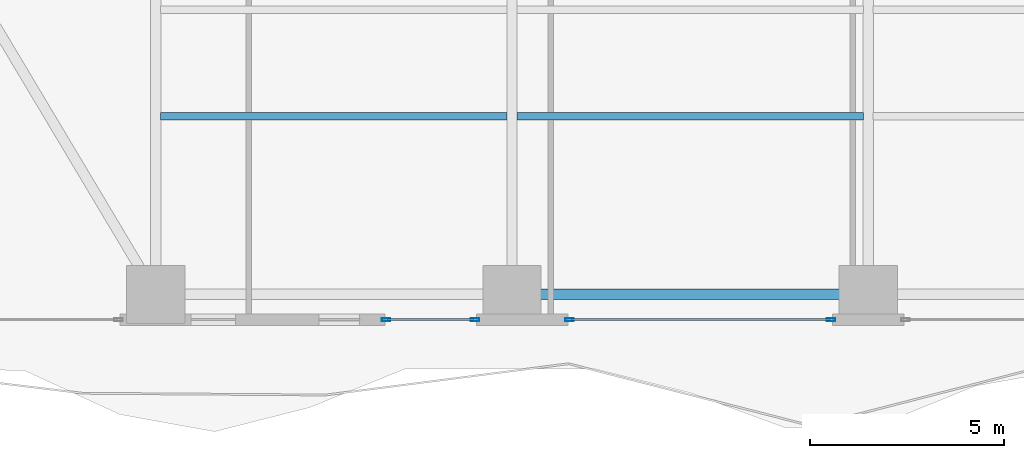
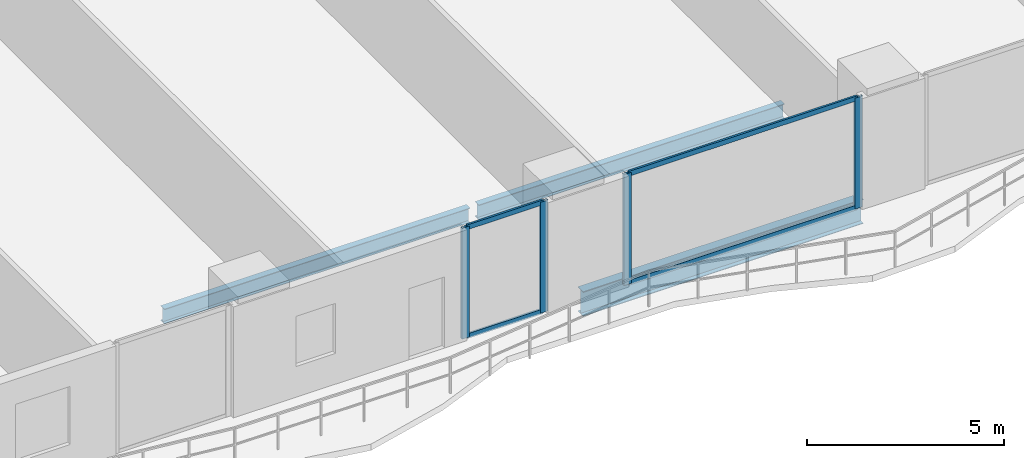
# One storey, part 4 of 28: 8 members, 3 beams, 2 elements without a shape of their own.
"""IFC4 building model written with IfcOpenShell, lengths in metres."""

from ifc_helpers import new_model, si_unit, direction, frame, origin, origin_2d, place, context, subcontext, project, spatial, hollow_rectangle, i_section, extrude, material, layer, layer_set, material_profile, profile_set, type_object, element, aggregate, save


model = new_model("IFC4")

# Units and contexts
model_context = context("Model", 3, precision=1e-05, world=origin(), true_north=direction((0.0, 1.0)))
body_context = subcontext(model_context, "Body", "Model", "MODEL_VIEW")
ifc_project = project(units=[si_unit("LENGTHUNIT", "METRE"), si_unit("AREAUNIT", "SQUARE_METRE"), si_unit("VOLUMEUNIT", "CUBIC_METRE"), si_unit("PLANEANGLEUNIT", "RADIAN"), si_unit("MASSUNIT", "GRAM", prefix="KILO")], contexts=[model_context])

# Site, building, storey
site_placement = place(None, origin())
site = spatial("IfcSite", under=ifc_project, at=site_placement, CompositionType="ELEMENT")
building_placement = place(site_placement, origin())
building = spatial("IfcBuilding", under=site, at=building_placement, Name="Zuhayl Quay Hotel", CompositionType="ELEMENT")
storey_placement = place(building_placement, frame((0.0, 0.0, 53.14990234375)))
storey = spatial("IfcBuildingStorey", under=building, at=storey_placement, Name="L12", CompositionType="ELEMENT", Elevation=53.14990234375)

# Beams
ifc_material_1 = material(Name="Steel ASTM A992 Grade 50", Category="steel")
ifc_material_profile_1 = material_profile(ifc_material_1, i_section(OverallWidth=0.26708984375, OverallDepth=0.761962890625, WebThickness=0.014404296875, FlangeThickness=0.021484375, at=origin_2d()), Name="W30X116")
ifc_profile_set_1 = profile_set([ifc_material_profile_1], Name="Steel ASTM A992 Grade 50")
beam_type_1 = type_object("IfcBeamType", Name="BM_B1_W30X116", PredefinedType="BEAM", material=ifc_profile_set_1)
beam_1_placement = place(storey_placement, frame((-4.10009765625, -22.449951171875, -0.600830078125), z_axis=(1.0, 0.0, 0.0), x_axis=(0.0, 1.0, 0.0)))
element("IfcBeam", 1, at=beam_1_placement, inside=storey, type_object=beam_type_1, Name="L12 Floor Beam RG_L12_02", PredefinedType="BEAM", context=body_context, shape_type="SweptSolid", body=[
    extrude(i_section(OverallWidth=0.26708984375, OverallDepth=0.761962890625, WebThickness=0.014404296875, FlangeThickness=0.021484375, at=origin_2d()), origin(), (0.0, 0.0, 1.0), 8.2001953125),
])
ifc_material_profile_2 = material_profile(ifc_material_1, i_section(OverallWidth=0.18994140625, OverallDepth=0.45703125, WebThickness=0.009033203125, FlangeThickness=0.014404296875, at=origin_2d()), Name="W18X50")
ifc_profile_set_2 = profile_set([ifc_material_profile_2], Name="Steel ASTM A992 Grade 50")
beam_type_2 = type_object("IfcBeamType", Name="BM_J2_W18X50", PredefinedType="JOIST", material=ifc_profile_set_2)
beam_2_placement = place(storey_placement, frame((-13.674560546875, -17.85009765625, -0.448486328125), z_axis=(1.0, 0.0, 0.0), x_axis=(0.0, 1.0, 0.0)))
element("IfcBeam", 2, at=beam_2_placement, inside=storey, type_object=beam_type_2, Name="L12 Floor Beam FJ_L12_3_1", PredefinedType="JOIST", context=body_context, shape_type="SweptSolid", body=[
    extrude(i_section(OverallWidth=0.18994140625, OverallDepth=0.45703125, WebThickness=0.009033203125, FlangeThickness=0.014404296875, at=origin_2d()), origin(), (0.0, 0.0, 1.0), 8.948974609375),
])
beam_3_placement = place(storey_placement, frame((-4.474609375, -17.85009765625, -0.448486328125), z_axis=(1.0, 0.0, 0.0), x_axis=(0.0, 1.0, 0.0)))
element("IfcBeam", 3, at=beam_3_placement, inside=storey, type_object=beam_type_2, Name="L12 Floor Beam FJ_L12_3_2", PredefinedType="JOIST", context=body_context, shape_type="SweptSolid", body=[
    extrude(i_section(OverallWidth=0.18994140625, OverallDepth=0.45703125, WebThickness=0.009033203125, FlangeThickness=0.014404296875, at=origin_2d()), origin(), (0.0, 0.0, 1.0), 8.94921875),
])

# Curtain wall, members
ifc_material_2 = material(Name="Anodised Aluminium 6063-T6", Category="aluminium")
ifc_layer = layer(ifc_material_2, 0.18994140625, Name="Anodised Aluminium 6063-T6", Category="aluminium")
ifc_layer_set = layer_set([ifc_layer], Name="Anodised Aluminium 6063-T6")
curtain_wall_type = type_object("IfcCurtainWallType", Name="CW_SYS_Z1", PredefinedType="USERDEFINED", material=ifc_layer_set)
curtain_wall_1_placement = place(storey_placement, origin())
curtain_wall_1 = element("IfcCurtainWall", 4, at=curtain_wall_1_placement, inside=storey, type_object=curtain_wall_type, Name="L12 Curtain Wall ENV_L12_S_CW3", ObjectType="UNITISED CURTAIN WALL", PredefinedType="USERDEFINED")
ifc_material_3 = material(Name="Black-anodised aluminium 6063-T6", Category="aluminium")
ifc_material_profile_3 = material_profile(ifc_material_3, hollow_rectangle(XDim=0.074951171875, YDim=0.219970703125, WallThickness=0.00390625, at=origin_2d()), Name="ALU220X75")
ifc_profile_set_3 = profile_set([ifc_material_profile_3], Name="Black-anodised aluminium 6063-T6")
member_type_1 = type_object("IfcMemberType", Name="MB_CW_MUL_220", PredefinedType="MULLION", material=ifc_profile_set_3)
member_1_placement = place(storey_placement, frame((3.642578125, -23.10009765625, 0.0), z_axis=(0.0, 0.0, 1.0), x_axis=(0.0, -1.0, 0.0)))
member_1 = element("IfcMember", 5, at=member_1_placement, type_object=member_type_1, Name="CW-Z1 mullion 1", PredefinedType="MULLION", context=body_context, shape_type="SweptSolid", body=[
    extrude(hollow_rectangle(XDim=0.074951171875, YDim=0.219970703125, WallThickness=0.00390625, at=origin_2d()), origin(), (0.0, 0.0, 1.0), 3.43017578125),
])
member_2_placement = place(storey_placement, frame((-3.112548828125, -23.10009765625, 0.0), z_axis=(0.0, 0.0, 1.0), x_axis=(0.0, -1.0, 0.0)))
member_2 = element("IfcMember", 6, at=member_2_placement, type_object=member_type_1, Name="CW-Z1 mullion 2", PredefinedType="MULLION", context=body_context, shape_type="SweptSolid", body=[
    extrude(hollow_rectangle(XDim=0.074951171875, YDim=0.219970703125, WallThickness=0.00390625, at=origin_2d()), origin(), (0.0, 0.0, 1.0), 3.43017578125),
])

curtain_wall_2_placement = place(storey_placement, origin())
curtain_wall_2 = element("IfcCurtainWall", 7, at=curtain_wall_2_placement, inside=storey, type_object=curtain_wall_type, Name="L12 Curtain Wall ENV_L12_S_CW4", ObjectType="UNITISED CURTAIN WALL", PredefinedType="USERDEFINED")
member_3_placement = place(storey_placement, frame((-5.5576171875, -23.10009765625, 0.0), z_axis=(0.0, 0.0, 1.0), x_axis=(0.0, -1.0, 0.0)))
member_3 = element("IfcMember", 8, at=member_3_placement, type_object=member_type_1, Name="CW-Z1 mullion 1", PredefinedType="MULLION", context=body_context, shape_type="SweptSolid", body=[
    extrude(hollow_rectangle(XDim=0.074951171875, YDim=0.219970703125, WallThickness=0.00390625, at=origin_2d()), origin(), (0.0, 0.0, 1.0), 3.43017578125),
])
member_4_placement = place(storey_placement, frame((-7.847412109375, -23.10009765625, 0.0), z_axis=(0.0, 0.0, 1.0), x_axis=(0.0, -1.0, 0.0)))
member_4 = element("IfcMember", 9, at=member_4_placement, type_object=member_type_1, Name="CW-Z1 mullion 2", PredefinedType="MULLION", context=body_context, shape_type="SweptSolid", body=[
    extrude(hollow_rectangle(XDim=0.074951171875, YDim=0.219970703125, WallThickness=0.00390625, at=origin_2d()), origin(), (0.0, 0.0, 1.0), 3.43017578125),
])

# Member
ifc_material_profile_4 = material_profile(ifc_material_3, hollow_rectangle(XDim=0.06005859375, YDim=0.14990234375, WallThickness=0.00341796875, at=origin_2d()), Name="ALU150X60")
ifc_profile_set_4 = profile_set([ifc_material_profile_4], Name="Black-anodised aluminium 6063-T6")
member_type_2 = type_object("IfcMemberType", Name="MB_CW_TRN_150", PredefinedType="USERDEFINED", material=ifc_profile_set_4)
member_5_placement = place(storey_placement, frame((3.60498046875, -23.10009765625, 0.030029296875), z_axis=(-1.0, 0.0, 0.0), x_axis=(0.0, -1.0, 0.0)))
member_5 = element("IfcMember", 10, at=member_5_placement, type_object=member_type_2, Name="CW-Z1 transom 1.1", ObjectType="TRANSOM", PredefinedType="USERDEFINED", context=body_context, shape_type="SweptSolid", body=[
    extrude(hollow_rectangle(XDim=0.06005859375, YDim=0.14990234375, WallThickness=0.00341796875, at=origin_2d()), origin(), (0.0, 0.0, 1.0), 6.679931640625),
])

member_6_placement = place(storey_placement, frame((3.60498046875, -23.10009765625, 3.400146484375), z_axis=(-1.0, 0.0, 0.0), x_axis=(0.0, -1.0, 0.0)))
member_6 = element("IfcMember", 11, at=member_6_placement, type_object=member_type_2, Name="CW-Z1 transom 1.2", ObjectType="TRANSOM", PredefinedType="USERDEFINED", context=body_context, shape_type="SweptSolid", body=[
    extrude(hollow_rectangle(XDim=0.06005859375, YDim=0.14990234375, WallThickness=0.00341796875, at=origin_2d()), origin(), (0.0, 0.0, 1.0), 6.679931640625),
])

aggregate(curtain_wall_1, [member_1, member_2, member_5, member_6])

member_7_placement = place(storey_placement, frame((-5.594970703125, -23.10009765625, 0.030029296875), z_axis=(-1.0, 0.0, 0.0), x_axis=(0.0, -1.0, 0.0)))
member_7 = element("IfcMember", 12, at=member_7_placement, type_object=member_type_2, Name="CW-Z1 transom 1.1", ObjectType="TRANSOM", PredefinedType="USERDEFINED", context=body_context, shape_type="SweptSolid", body=[
    extrude(hollow_rectangle(XDim=0.06005859375, YDim=0.14990234375, WallThickness=0.00341796875, at=origin_2d()), origin(), (0.0, 0.0, 1.0), 2.215087890625),
])

member_8_placement = place(storey_placement, frame((-5.594970703125, -23.10009765625, 3.400146484375), z_axis=(-1.0, 0.0, 0.0), x_axis=(0.0, -1.0, 0.0)))
member_8 = element("IfcMember", 13, at=member_8_placement, type_object=member_type_2, Name="CW-Z1 transom 1.2", ObjectType="TRANSOM", PredefinedType="USERDEFINED", context=body_context, shape_type="SweptSolid", body=[
    extrude(hollow_rectangle(XDim=0.06005859375, YDim=0.14990234375, WallThickness=0.00341796875, at=origin_2d()), origin(), (0.0, 0.0, 1.0), 2.215087890625),
])

aggregate(curtain_wall_2, [member_3, member_4, member_7, member_8])

save(model, "model.ifc")
